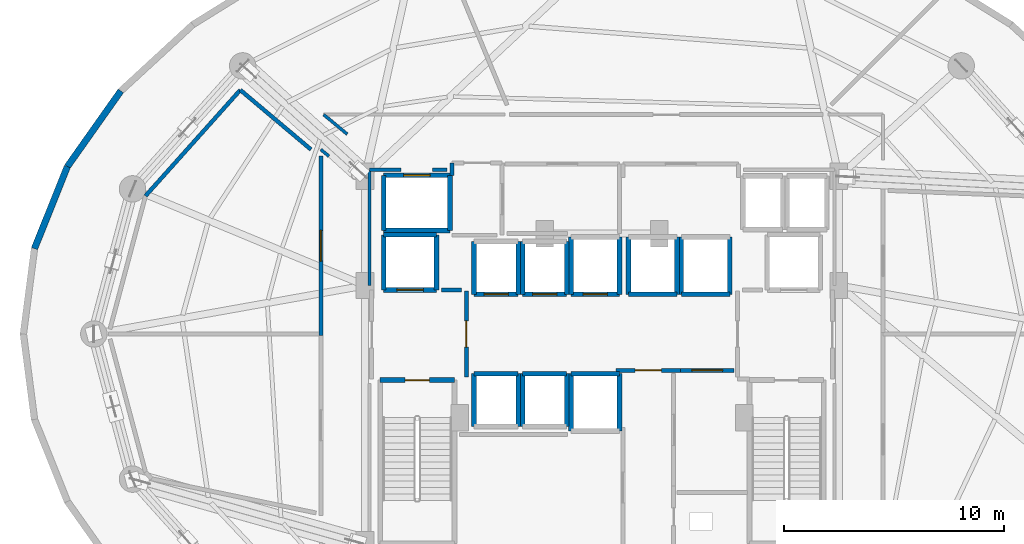
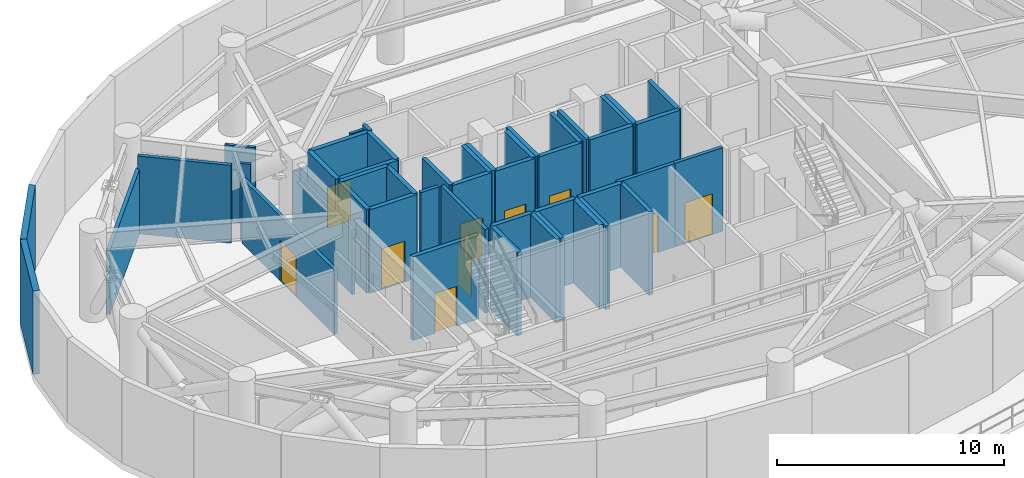
# One storey, part 7 of 10: 48 walls, 10 doors, 10 openings.
"""IFC4 building model written with IfcOpenShell, lengths in metres."""

import ifcopenshell
import ifcopenshell.guid

model = None  # the IFC model being written
_history = None  # IfcOwnerHistory: only IFC2X3 demands one
_inside = {}  # id of a spatial element -> (the spatial element, [elements in it])
_under = {}  # id of a project, library or spatial element -> (it, [spatial elements below it])
_declared = {}  # id of a project -> (the project, [libraries it declares])
_typed = {}  # id of a type object -> (the type object, [elements of that type])
_made_of = {}  # id of a material, layer set ... -> (it, [elements and type objects made of it])


def new_model(schema):
    """Start an empty IFC model of exactly this schema.

    Asked for "IFC4X3", IfcOpenShell would pick the latest addendum, in which some entities
    have other attributes; the version numbers below select the first issue.
    IFC2X3 requires an IfcOwnerHistory on every rooted entity: one is made here for all.
    """
    global model, _history
    if schema == "IFC4X3":
        model = ifcopenshell.file(schema_version=(4, 3, 0, 0))
    else:
        model = ifcopenshell.file(schema=schema)
    _inside.clear()
    _under.clear()
    _declared.clear()
    _typed.clear()
    _made_of.clear()
    _history = None
    if model.schema == "IFC2X3":
        org = make("IfcOrganization", Name="unknown")
        user = make(
            "IfcPersonAndOrganization",
            ThePerson=make("IfcPerson", FamilyName="unknown"),
            TheOrganization=org,
        )
        app = make(
            "IfcApplication",
            ApplicationDeveloper=org,
            Version="unknown",
            ApplicationFullName="unknown",
            ApplicationIdentifier="unknown",
        )
        _history = make(
            "IfcOwnerHistory",
            OwningUser=user,
            OwningApplication=app,
            ChangeAction="ADDED",
            CreationDate=0,
        )
    return model


def make(cls, **values):
    """One entity of the class cls with the attributes given. An attribute that is None is left unset."""
    return model.create_entity(
        cls, **{name: value for name, value in values.items() if value is not None}
    )


def rooted(cls, **values):
    """An entity with a GlobalId (a new one), such as an element, a storey or a relation."""
    return make(cls, GlobalId=ifcopenshell.guid.new(), OwnerHistory=_history, **values)


def si_unit(unit_type, name, prefix=None):
    """IfcSIUnit, for example si_unit("LENGTHUNIT", "METRE", prefix="MILLI")."""
    return make("IfcSIUnit", UnitType=unit_type, Prefix=prefix, Name=name)


def assignment(units):
    """IfcUnitAssignment: the units of a project."""
    return None if units is None else make("IfcUnitAssignment", Units=units)


def point(xyz):
    """IfcCartesianPoint."""
    return None if xyz is None else make("IfcCartesianPoint", Coordinates=xyz)


def direction(xyz):
    """IfcDirection."""
    return None if xyz is None else make("IfcDirection", DirectionRatios=xyz)


def frame(location, z_axis=None, x_axis=None):
    """IfcAxis2Placement3D, a coordinate frame: its origin and axes. An axis left out is left unset."""
    return make(
        "IfcAxis2Placement3D",
        Location=point(location),
        Axis=direction(z_axis),
        RefDirection=direction(x_axis),
    )


def frame_2d(location, x_axis=None):
    """IfcAxis2Placement2D, a coordinate frame in the plane: its origin and x axis."""
    return make(
        "IfcAxis2Placement2D", Location=point(location), RefDirection=direction(x_axis)
    )


def origin():
    """The frame at (0, 0, 0) with its axes left unset."""
    return frame((0.0, 0.0, 0.0))


def place(relative_to, where):
    """IfcLocalPlacement: puts the frame where relative to a parent placement (None: the world)."""
    return make(
        "IfcLocalPlacement", PlacementRelTo=relative_to, RelativePlacement=where
    )


def context(
    kind, dimensions, precision=None, world=None, true_north=None, identifier=None
):
    """IfcGeometricRepresentationContext, for example the 3D "Model" context."""
    return make(
        "IfcGeometricRepresentationContext",
        ContextIdentifier=identifier,
        ContextType=kind,
        CoordinateSpaceDimension=dimensions,
        Precision=precision,
        WorldCoordinateSystem=world,
        TrueNorth=true_north,
    )


def subcontext(parent, identifier, kind, view, scale=None):
    """IfcGeometricRepresentationSubContext, for example "Body" below "Model"."""
    return make(
        "IfcGeometricRepresentationSubContext",
        ContextIdentifier=identifier,
        ContextType=kind,
        ParentContext=parent,
        TargetScale=scale,
        TargetView=view,
    )


def project(units=None, contexts=None):
    """IfcProject with its units and contexts."""
    return rooted(
        "IfcProject",
        Name="project",
        RepresentationContexts=contexts,
        UnitsInContext=assignment(units),
    )


def spatial(cls, under=None, at=None, **own):
    """A site, building, storey or space (cls), placed at a placement, below another one or the project."""
    s = rooted(cls, ObjectPlacement=at, **own)
    if under is not None:
        _under.setdefault(under.id(), (under, []))[1].append(s)
    return s


def profile(cls, at=None, kind="AREA", **sizes):
    """A parametric profile (cls). Its sizes go by their IFC names, for example OverallWidth=200.0."""
    return make(cls, ProfileType=kind, Position=at, **sizes)


def rectangle(**sizes):
    """IfcRectangleProfileDef."""
    return profile("IfcRectangleProfileDef", **sizes)


def extrude(swept, where, along, depth):
    """IfcExtrudedAreaSolid: the profile swept, set in the frame where, extruded along a direction by depth."""
    return make(
        "IfcExtrudedAreaSolid",
        SweptArea=swept,
        Position=where,
        ExtrudedDirection=direction(along),
        Depth=depth,
    )


def shape(context_of_items, identifier, shape_type, items):
    """IfcShapeRepresentation: the items that make up one representation, for example the "Body"."""
    return make(
        "IfcShapeRepresentation",
        ContextOfItems=context_of_items,
        RepresentationIdentifier=identifier,
        RepresentationType=shape_type,
        Items=items,
    )


def material(Name=None, Category=None):
    """IfcMaterial."""
    return make("IfcMaterial", Name=Name, Category=Category)


def layer(
    of_material, thickness, ventilated=None, Name=None, Category=None, Priority=None
):
    """IfcMaterialLayer: one layer of a wall or slab, of a material (None: an air gap)."""
    return make(
        "IfcMaterialLayer",
        Material=of_material,
        LayerThickness=thickness,
        IsVentilated=ventilated,
        Name=Name,
        Category=Category,
        Priority=Priority,
    )


def layer_set(layers, Name=None):
    """IfcMaterialLayerSet."""
    return make("IfcMaterialLayerSet", MaterialLayers=layers, LayerSetName=Name)


def made_of(thing, what):
    """Note that an element or type object is made of a material, layer set ...; save() writes the relation."""
    if what is not None:
        _made_of.setdefault(what.id(), (what, []))[1].append(thing)
    return thing


def type_object(cls, material=None, **own):
    """A type object (cls), such as IfcWallType, which elements share."""
    return made_of(rooted(cls, **own), material)


def element(
    cls,
    number,
    at=None,
    inside=None,
    cuts=None,
    type_object=None,
    material=None,
    context=None,
    identifier="Body",
    shape_type=None,
    held_by="IfcProductDefinitionShape",
    body=None,
    shapes=None,
    **own,
):
    """One element of the class cls, such as IfcWall. Its Tag is "e" and its number.

    at: its placement. inside: the storey or other place that contains it. cuts: it is an
    opening in that element (IfcRelVoidsElement). A single representation is given by context,
    identifier, shape_type and body (its items); several are given by shapes. held_by: the class
    of the entity that holds the representations. save() writes the other relations.
    """
    e = rooted(cls, Tag="e%d" % number, ObjectPlacement=at, **own)
    if body is not None:
        shapes = [shape(context, identifier, shape_type, body)]
    if shapes is not None:
        e.Representation = make(held_by, Representations=shapes)
    if inside is not None:
        _inside.setdefault(inside.id(), (inside, []))[1].append(e)
    if cuts is not None:
        rooted(
            "IfcRelVoidsElement", RelatingBuildingElement=cuts, RelatedOpeningElement=e
        )
    if type_object is not None:
        _typed.setdefault(type_object.id(), (type_object, []))[1].append(e)
    return made_of(e, material)


def fill(opening, filler):
    """IfcRelFillsElement: the door or window that sits in an opening."""
    return rooted(
        "IfcRelFillsElement",
        RelatingOpeningElement=opening,
        RelatedBuildingElement=filler,
    )


def aggregate(whole, parts):
    """IfcRelAggregates: a whole, such as a stair, and the parts it consists of."""
    return rooted("IfcRelAggregates", RelatingObject=whole, RelatedObjects=parts)


def save(model, path):
    """Write the relations noted so far, then the file.

    IfcRelAggregates (storeys below a building ...), IfcRelContainedInSpatialStructure (elements
    in a storey), IfcRelDefinesByType, IfcRelAssociatesMaterial and IfcRelDeclares: one each for
    every whole, place, type object, material and project.
    """
    for whole, parts in _under.values():
        aggregate(whole, parts)
    for where, things in _inside.values():
        rooted(
            "IfcRelContainedInSpatialStructure",
            RelatedElements=things,
            RelatingStructure=where,
        )
    for kind, things in _typed.values():
        rooted("IfcRelDefinesByType", RelatedObjects=things, RelatingType=kind)
    for what, things in _made_of.values():
        rooted("IfcRelAssociatesMaterial", RelatedObjects=things, RelatingMaterial=what)
    for by, libraries in _declared.values():
        rooted("IfcRelDeclares", RelatingContext=by, RelatedDefinitions=libraries)
    model.write(path)


model = new_model("IFC4")

# Units and contexts
model_context = context("Model", 3, precision=1e-05, world=origin(), true_north=direction((0.0, 1.0)))
body_context = subcontext(model_context, "Body", "Model", "MODEL_VIEW")
ifc_project = project(units=[si_unit("LENGTHUNIT", "METRE"), si_unit("AREAUNIT", "SQUARE_METRE"), si_unit("VOLUMEUNIT", "CUBIC_METRE"), si_unit("PLANEANGLEUNIT", "RADIAN"), si_unit("MASSUNIT", "GRAM", prefix="KILO")], contexts=[model_context])

# Site, building, storey
site_placement = place(None, origin())
site = spatial("IfcSite", under=ifc_project, at=site_placement, CompositionType="ELEMENT")
building_placement = place(site_placement, origin())
building = spatial("IfcBuilding", under=site, at=building_placement, Name="Vorneva Point Tower", CompositionType="ELEMENT")
storey_placement = place(building_placement, frame((0.0, 0.0, 69.5)))
storey = spatial("IfcBuildingStorey", under=building, at=storey_placement, Name="L18", CompositionType="ELEMENT", Elevation=69.5)

# Wall, opening, door
ifc_material_1 = material(Name="Concrete B60 (C50/60)", Category="concrete")
ifc_layer_1 = layer(ifc_material_1, 0.5)
ifc_layer_set_1 = layer_set([ifc_layer_1], Name="Concrete B60 (C50/60)")
wall_type_1 = type_object("IfcWallType", Name="WL-CORE-500", PredefinedType="SHEAR", material=ifc_layer_set_1)
wall_1_placement = place(storey_placement, frame((28.10009765625, 28.0, 0.0), z_axis=(0.0, 0.0, 1.0), x_axis=(1.0, 0.0, 0.0)))
wall_1 = element("IfcWall", 1, at=wall_1_placement, inside=storey, type_object=wall_type_1, Name="L18 Lift FFL1 Shaft Wall -Y", PredefinedType="SHEAR", context=body_context, shape_type="SweptSolid", body=[
    extrude(rectangle(XDim=2.39990234375, YDim=0.219970703125, at=frame_2d((1.199951171875, 0.0))), origin(), (0.0, 0.0, 1.0), 4.5),
])
opening_1_placement = place(wall_1_placement, frame((0.60009765625, 0.0, 0.0)))
opening_1 = element("IfcOpeningElement", 2, at=opening_1_placement, cuts=wall_1, Name="Opening LD-02", PredefinedType="OPENING", context=body_context, shape_type="SweptSolid", body=[
    extrude(rectangle(XDim=1.199951171875, YDim=2.199951171875, at=frame_2d((0.60009765625, 1.10009765625))), frame((0.0, 0.125, 0.0), z_axis=(0.0, -1.0, 0.0), x_axis=(1.0, 0.0, 0.0)), (0.0, 0.0, 1.0), 0.249755859375),
])
ifc_material_2 = material(Name="Brushed stainless steel S304", Category="steel")
door_type_1 = type_object("IfcDoorType", Name="LD-FIRE-1200", OperationType="SLIDING_TO_LEFT", PredefinedType="DOOR", material=ifc_material_2)
door_1_placement = place(opening_1_placement, origin())
door_1 = element("IfcDoor", 3, at=door_1_placement, inside=storey, type_object=door_type_1, Name="L18 Lift FFL1 Sliding Landing Door", OperationType="SLIDING_TO_LEFT", OverallHeight=2.199951171875, OverallWidth=1.199951171875, PredefinedType="DOOR", context=body_context, shape_type="SweptSolid", body=[
    extrude(rectangle(XDim=1.199951171875, YDim=2.199951171875, at=frame_2d((0.60009765625, 1.10009765625))), frame((0.0, 0.02490234375, 0.0), z_axis=(0.0, -1.0, 0.0), x_axis=(1.0, 0.0, 0.0)), (0.0, 0.0, 1.0), 0.050048828125),
])
fill(opening_1, door_1)

# Walls
wall_2_placement = place(storey_placement, frame((30.5, 28.0, 0.0), z_axis=(0.0, 0.0, 1.0), x_axis=(0.0, 1.0, 0.0)))
element("IfcWall", 4, at=wall_2_placement, inside=storey, type_object=wall_type_1, Name="L18 Lift FFL1 Shaft Wall +X", PredefinedType="SHEAR", context=body_context, shape_type="SweptSolid", body=[
    extrude(rectangle(XDim=2.5, YDim=0.219970703125, at=frame_2d((1.25, 0.0))), origin(), (0.0, 0.0, 1.0), 4.5),
])
wall_3_placement = place(storey_placement, frame((30.5, 30.5, 0.0), z_axis=(0.0, 0.0, 1.0), x_axis=(-1.0, 0.0, 0.0)))
element("IfcWall", 5, at=wall_3_placement, inside=storey, type_object=wall_type_1, Name="L18 Lift FFL1 Shaft Wall +Y", PredefinedType="SHEAR", context=body_context, shape_type="SweptSolid", body=[
    extrude(rectangle(XDim=2.39990234375, YDim=0.219970703125, at=frame_2d((1.199951171875, 0.0))), origin(), (0.0, 0.0, 1.0), 4.5),
])
wall_4_placement = place(storey_placement, frame((28.10009765625, 30.5, 0.0), z_axis=(0.0, 0.0, 1.0), x_axis=(0.0, -1.0, 0.0)))
element("IfcWall", 6, at=wall_4_placement, inside=storey, type_object=wall_type_1, Name="L18 Lift FFL1 Shaft Wall -X", PredefinedType="SHEAR", context=body_context, shape_type="SweptSolid", body=[
    extrude(rectangle(XDim=2.5, YDim=0.219970703125, at=frame_2d((1.25, 0.0))), origin(), (0.0, 0.0, 1.0), 4.5),
])
ifc_material_3 = material(Name="Precast concrete B50 (C40/50)", Category="concrete")
ifc_layer_2 = layer(ifc_material_3, 0.300048828125)
ifc_layer_set_2 = layer_set([ifc_layer_2], Name="Precast concrete B50 (C40/50)")
wall_type_2 = type_object("IfcWallType", Name="WL-EXT-300", PredefinedType="STANDARD", material=ifc_layer_set_2)
wall_5_placement = place(storey_placement, frame((16.173828125, 37.028076171875, 0.0), z_axis=(0.0, 0.0, 1.0), x_axis=(-0.57716435238, -0.81662801222, 0.0)))
element("IfcWall", 7, at=wall_5_placement, inside=storey, type_object=wall_type_2, Name="L18 Pale-Metal Facade Spandrel Wall 07.2", PredefinedType="STANDARD", context=body_context, shape_type="SweptSolid", body=[
    extrude(rectangle(XDim=4.202392578125, YDim=0.300048828125, at=frame_2d((2.10107421875, 0.0))), origin(), (0.0, 0.0, 1.0), 4.5),
])
wall_6_placement = place(storey_placement, frame((13.748291015625, 33.59619140625, 0.0), z_axis=(0.0, 0.0, 1.0), x_axis=(-0.372345205928, -0.92809430966, 0.0)))
element("IfcWall", 8, at=wall_6_placement, inside=storey, type_object=wall_type_2, Name="L18 Pale-Metal Facade Spandrel Wall 08.1", PredefinedType="STANDARD", context=body_context, shape_type="SweptSolid", body=[
    extrude(rectangle(XDim=4.01220703125, YDim=0.300048828125, at=frame_2d((2.006103515625, 0.0))), origin(), (0.0, 0.0, 1.0), 4.5),
])
ifc_material_4 = material(Name="Fire-rated acoustic gypsum stud partition", Category="gypsum")
ifc_layer_3 = layer(ifc_material_4, 0.139892578125)
ifc_layer_set_3 = layer_set([ifc_layer_3], Name="Fire-rated acoustic gypsum stud partition")
wall_type_3 = type_object("IfcWallType", Name="WL-PART-140", PredefinedType="PARTITIONING", material=ifc_layer_set_3)
wall_7_placement = place(storey_placement, frame((25.37890625, 35.949951171875, 0.0), z_axis=(0.0, 0.0, 1.0), x_axis=(0.769447461533, -0.638710109471, 0.0)))
element("IfcWall", 9, at=wall_7_placement, inside=storey, type_object=wall_type_3, Name="L18 Interior Closure Partition 049", PredefinedType="PARTITIONING", context=body_context, shape_type="SweptSolid", body=[
    extrude(rectangle(XDim=1.3857421875, YDim=0.139892578125, at=frame_2d((0.69287109375, 0.0))), origin(), (0.0, 0.0, 1.0), 4.134033203125),
])
wall_8_placement = place(storey_placement, frame((25.614013671875, 34.06494140625, 0.0), z_axis=(0.0, 0.0, 1.0), x_axis=(-0.769615661333, 0.638507426606, 0.0)))
element("IfcWall", 10, at=wall_8_placement, inside=storey, type_object=wall_type_3, Name="L18 Interior Closure Partition 050", PredefinedType="PARTITIONING", context=body_context, shape_type="SweptSolid", body=[
    extrude(rectangle(XDim=0.472900390625, YDim=0.139892578125, at=frame_2d((0.236328125, 0.0))), origin(), (0.0, 0.0, 1.0), 4.134033203125),
])
wall_9_placement = place(storey_placement, frame((27.449951171875, 28.196044921875, 0.0), z_axis=(0.0, 0.0, 1.0), x_axis=(0.0, 1.0, 0.0)))
element("IfcWall", 11, at=wall_9_placement, inside=storey, type_object=wall_type_3, Name="L18 Interior Closure Partition 055", PredefinedType="PARTITIONING", context=body_context, shape_type="SweptSolid", body=[
    extrude(rectangle(XDim=5.25390625, YDim=0.139892578125, at=frame_2d((2.626953125, 0.0))), origin(), (0.0, 0.0, 1.0), 3.48193359375),
])
wall_10_placement = place(storey_placement, frame((27.449951171875, 33.449951171875, 0.0), z_axis=(0.0, 0.0, 1.0), x_axis=(1.0, 0.0, 0.0)))
element("IfcWall", 12, at=wall_10_placement, inside=storey, type_object=wall_type_3, Name="L18 Interior Closure Partition 056", PredefinedType="PARTITIONING", context=body_context, shape_type="SweptSolid", body=[
    extrude(rectangle(XDim=1.444091796875, YDim=0.139892578125, at=frame_2d((0.72216796875, 0.0))), origin(), (0.0, 0.0, 1.0), 3.48193359375),
])
wall_11_placement = place(storey_placement, frame((30.305908203125, 33.449951171875, 0.0), z_axis=(0.0, 0.0, 1.0), x_axis=(1.0, 0.0, 0.0)))
element("IfcWall", 13, at=wall_11_placement, inside=storey, type_object=wall_type_3, Name="L18 Interior Closure Partition 057", PredefinedType="PARTITIONING", context=body_context, shape_type="SweptSolid", body=[
    extrude(rectangle(XDim=0.674072265625, YDim=0.139892578125, at=frame_2d((0.3369140625, 0.0))), origin(), (0.0, 0.0, 1.0), 4.5),
])

# Wall, opening, door
ifc_material_5 = material(Name="Autoclaved aerated concrete blockwork", Category="masonry")
ifc_layer_4 = layer(ifc_material_5, 0.179931640625)
ifc_layer_set_4 = layer_set([ifc_layer_4], Name="Autoclaved aerated concrete blockwork")
wall_type_4 = type_object("IfcWallType", Name="WL-PART-180", PredefinedType="PARTITIONING", material=ifc_layer_set_4)
wall_12_placement = place(storey_placement, frame((31.85009765625, 24.044921875, 0.0), z_axis=(0.0, 0.0, 1.0), x_axis=(0.0, 1.0, 0.0)))
wall_12 = element("IfcWall", 14, at=wall_12_placement, inside=storey, type_object=wall_type_4, Name="L18 Interior Partition 001", PredefinedType="PARTITIONING", context=body_context, shape_type="SweptSolid", body=[
    extrude(rectangle(XDim=3.91015625, YDim=0.179931640625, at=frame_2d((1.955078125, 0.0))), origin(), (0.0, 0.0, 1.0), 4.5),
])
opening_2_placement = place(wall_12_placement, frame((1.35498046875, 0.0, 0.0)))
opening_2 = element("IfcOpeningElement", 15, at=opening_2_placement, cuts=wall_12, Name="Opening FD-02", PredefinedType="OPENING", context=body_context, shape_type="SweptSolid", body=[
    extrude(rectangle(XDim=1.199951171875, YDim=2.14990234375, at=frame_2d((0.60009765625, 1.074951171875))), frame((0.0, 0.10498046875, 0.0), z_axis=(0.0, -1.0, 0.0), x_axis=(1.0, 0.0, 0.0)), (0.0, 0.0, 1.0), 0.209716796875),
])
ifc_material_6 = material(Name="Fire-rated powder-coated steel", Category="steel")
door_type_2 = type_object("IfcDoorType", Name="DR-FFL-1200", OperationType="NOTDEFINED", PredefinedType="DOOR", material=ifc_material_6)
door_2_placement = place(opening_2_placement, origin())
door_2 = element("IfcDoor", 16, at=door_2_placement, inside=storey, type_object=door_type_2, Name="L18 Door West Firefighting Lobby / Central Lift Lobby", OperationType="SINGLE_SWING_RIGHT", OverallHeight=2.14990234375, OverallWidth=1.199951171875, PredefinedType="DOOR", context=body_context, shape_type="SweptSolid", body=[
    extrude(rectangle(XDim=1.199951171875, YDim=2.14990234375, at=frame_2d((0.60009765625, 1.074951171875))), frame((0.0, 0.02490234375, 0.0), z_axis=(0.0, -1.0, 0.0), x_axis=(1.0, 0.0, 0.0)), (0.0, 0.0, 1.0), 0.050048828125),
])
fill(opening_2, door_2)

# Wall
wall_13_placement = place(storey_placement, frame((31.199951171875, 33.760009765625, 0.0), z_axis=(0.0, 0.0, 1.0), x_axis=(0.0, -1.0, 0.0)))
element("IfcWall", 17, at=wall_13_placement, inside=storey, type_object=wall_type_4, Name="L18 Interior Partition 008", PredefinedType="PARTITIONING", context=body_context, shape_type="SweptSolid", body=[
    extrude(rectangle(XDim=0.56005859375, YDim=0.179931640625, at=frame_2d((0.280029296875, 0.0))), origin(), (0.0, 0.0, 1.0), 4.5),
])

# Wall, opening, door
wall_14_placement = place(storey_placement, frame((38.64501953125, 24.35009765625, 0.0), z_axis=(0.0, 0.0, 1.0), x_axis=(1.0, 0.0, 0.0)))
wall_14 = element("IfcWall", 18, at=wall_14_placement, inside=storey, type_object=wall_type_4, Name="L18 Interior Partition 009", PredefinedType="PARTITIONING", context=body_context, shape_type="SweptSolid", body=[
    extrude(rectangle(XDim=2.909912109375, YDim=0.179931640625, at=frame_2d((1.455078125, 0.0))), origin(), (0.0, 0.0, 1.0), 4.5),
])
opening_3_placement = place(wall_14_placement, frame((0.85498046875, 0.0, 0.0)))
opening_3 = element("IfcOpeningElement", 19, at=opening_3_placement, cuts=wall_14, Name="Opening FD-02", PredefinedType="OPENING", context=body_context, shape_type="SweptSolid", body=[
    extrude(rectangle(XDim=1.199951171875, YDim=2.14990234375, at=frame_2d((0.60009765625, 1.074951171875))), frame((0.0, 0.10498046875, 0.0), z_axis=(0.0, -1.0, 0.0), x_axis=(1.0, 0.0, 0.0)), (0.0, 0.0, 1.0), 0.209716796875),
])
door_3_placement = place(opening_3_placement, origin())
door_3 = element("IfcDoor", 20, at=door_3_placement, inside=storey, type_object=door_type_2, Name="L18 Door Central Lift Lobby / Core Service Lobby", OperationType="SINGLE_SWING_LEFT", OverallHeight=2.14990234375, OverallWidth=1.199951171875, PredefinedType="DOOR", context=body_context, shape_type="SweptSolid", body=[
    extrude(rectangle(XDim=1.199951171875, YDim=2.14990234375, at=frame_2d((0.60009765625, 1.074951171875))), frame((0.0, 0.02490234375, 0.0), z_axis=(0.0, -1.0, 0.0), x_axis=(1.0, 0.0, 0.0)), (0.0, 0.0, 1.0), 0.050048828125),
])
fill(opening_3, door_3)

wall_15_placement = place(storey_placement, frame((41.554931640625, 24.35009765625, 0.0), z_axis=(0.0, 0.0, 1.0), x_axis=(1.0, 0.0, 0.0)))
wall_15 = element("IfcWall", 21, at=wall_15_placement, inside=storey, type_object=wall_type_4, Name="L18 Interior Partition 010", PredefinedType="PARTITIONING", context=body_context, shape_type="SweptSolid", body=[
    extrude(rectangle(XDim=2.445068359375, YDim=0.179931640625, at=frame_2d((1.22265625, 0.0))), origin(), (0.0, 0.0, 1.0), 4.5),
])
opening_4_placement = place(wall_15_placement, frame((0.5224609375, 0.0, 0.0)))
opening_4 = element("IfcOpeningElement", 22, at=opening_4_placement, cuts=wall_15, Name="Opening FD-03", PredefinedType="OPENING", context=body_context, shape_type="SweptSolid", body=[
    extrude(rectangle(XDim=1.39990234375, YDim=2.199951171875, at=frame_2d((0.699951171875, 1.10009765625))), frame((0.0, 0.10498046875, 0.0), z_axis=(0.0, -1.0, 0.0), x_axis=(1.0, 0.0, 0.0)), (0.0, 0.0, 1.0), 0.209716796875),
])
door_type_3 = type_object("IfcDoorType", Name="DR-PLT-1400", OperationType="DOUBLE_SWING_LEFT", PredefinedType="DOOR", material=ifc_material_6)
door_4_placement = place(opening_4_placement, origin())
door_4 = element("IfcDoor", 23, at=door_4_placement, inside=storey, type_object=door_type_3, Name="L18 Door Central Lift Lobby / Core BMS Control Plant L18", OperationType="DOUBLE_SWING_LEFT", OverallHeight=2.199951171875, OverallWidth=1.39990234375, PredefinedType="DOOR", context=body_context, shape_type="SweptSolid", body=[
    extrude(rectangle(XDim=1.39990234375, YDim=2.199951171875, at=frame_2d((0.699951171875, 1.10009765625))), frame((0.0, 0.02490234375, 0.0), z_axis=(0.0, -1.0, 0.0), x_axis=(1.0, 0.0, 0.0)), (0.0, 0.0, 1.0), 0.050048828125),
])
fill(opening_4, door_4)

wall_16_placement = place(storey_placement, frame((25.25, 34.069091796875, 0.0), z_axis=(0.0, 0.0, 1.0), x_axis=(0.0, -1.0, 0.0)))
wall_16 = element("IfcWall", 24, at=wall_16_placement, inside=storey, type_object=wall_type_4, Name="L18 Interior Partition 024", PredefinedType="PARTITIONING", context=body_context, shape_type="SweptSolid", body=[
    extrude(rectangle(XDim=8.129150390625, YDim=0.179931640625, at=frame_2d((4.064453125, 0.0))), origin(), (0.0, 0.0, 1.0), 3.48193359375),
])
opening_5_placement = place(wall_16_placement, frame((3.364501953125, 0.0, 0.0)))
opening_5 = element("IfcOpeningElement", 25, at=opening_5_placement, cuts=wall_16, Name="Opening FD-03", PredefinedType="OPENING", context=body_context, shape_type="SweptSolid", body=[
    extrude(rectangle(XDim=1.39990234375, YDim=2.199951171875, at=frame_2d((0.699951171875, 1.10009765625))), frame((0.0, 0.10498046875, 0.0), z_axis=(0.0, -1.0, 0.0), x_axis=(1.0, 0.0, 0.0)), (0.0, 0.0, 1.0), 0.209716796875),
])
door_5_placement = place(opening_5_placement, origin())
door_5 = element("IfcDoor", 26, at=door_5_placement, inside=storey, type_object=door_type_3, Name="L18 Door L18 Refuge and Lift Lobby / Chiller Plant Room L18", OperationType="DOUBLE_SWING_LEFT", OverallHeight=2.199951171875, OverallWidth=1.39990234375, PredefinedType="DOOR", context=body_context, shape_type="SweptSolid", body=[
    extrude(rectangle(XDim=1.39990234375, YDim=2.199951171875, at=frame_2d((0.699951171875, 1.10009765625))), frame((0.0, 0.02490234375, 0.0), z_axis=(0.0, -1.0, 0.0), x_axis=(1.0, 0.0, 0.0)), (0.0, 0.0, 1.0), 0.050048828125),
])
fill(opening_5, door_5)

# Walls
wall_17_placement = place(storey_placement, frame((31.635009765625, 28.0, 0.0), z_axis=(0.0, 0.0, 1.0), x_axis=(-1.0, 0.0, 0.0)))
element("IfcWall", 27, at=wall_17_placement, inside=storey, type_object=wall_type_4, Name="L18 Interior Closure Partition 034", PredefinedType="PARTITIONING", context=body_context, shape_type="SweptSolid", body=[
    extrude(rectangle(XDim=0.9150390625, YDim=0.179931640625, at=frame_2d((0.45751953125, 0.0))), origin(), (0.0, 0.0, 1.0), 4.5),
])
wall_18_placement = place(storey_placement, frame((21.593994140625, 37.068115234375, 0.0), z_axis=(0.0, 0.0, 1.0), x_axis=(-0.667012857152, -0.745046205543, 0.0)))
element("IfcWall", 28, at=wall_18_placement, inside=storey, type_object=wall_type_4, Name="L18 Interior Closure Partition 060", PredefinedType="PARTITIONING", context=body_context, shape_type="SweptSolid", body=[
    extrude(rectangle(XDim=6.4482421875, YDim=0.179931640625, at=frame_2d((3.22412109375, 0.0))), origin(), (0.0, 0.0, 1.0), 3.48193359375),
])
wall_19_placement = place(storey_placement, frame((24.800048828125, 34.3701171875, 0.0), z_axis=(0.0, 0.0, 1.0), x_axis=(-0.765127214719, 0.643879138734, 0.0)))
element("IfcWall", 29, at=wall_19_placement, inside=storey, type_object=wall_type_4, Name="L18 Interior Closure Partition 062", PredefinedType="PARTITIONING", context=body_context, shape_type="SweptSolid", body=[
    extrude(rectangle(XDim=4.190185546875, YDim=0.179931640625, at=frame_2d((2.09521484375, 0.0))), origin(), (0.0, 0.0, 1.0), 4.18896484375),
])

# Wall, opening, door
ifc_material_7 = material(Name="Concrete B50 (C40/50)", Category="concrete")
ifc_layer_5 = layer(ifc_material_7, 0.219970703125)
ifc_layer_set_5 = layer_set([ifc_layer_5], Name="Concrete B50 (C40/50)")
wall_type_5 = type_object("IfcWallType", Name="WL-SHFT-220", PredefinedType="SOLIDWALL", material=ifc_layer_set_5)
wall_20_placement = place(storey_placement, frame((27.93994140625, 23.909912109375, 0.0), z_axis=(0.0, 0.0, 1.0), x_axis=(1.0, 0.0, 0.0)))
wall_20 = element("IfcWall", 30, at=wall_20_placement, inside=storey, type_object=wall_type_5, Name="L18 Exit Stair ST1 Shaft Wall near", PredefinedType="SOLIDWALL", context=body_context, shape_type="SweptSolid", body=[
    extrude(rectangle(XDim=3.3701171875, YDim=0.219970703125, at=frame_2d((1.68505859375, 0.0))), origin(), (0.0, 0.0, 1.0), 4.5),
])
opening_6_placement = place(wall_20_placement, frame((1.135009765625, 0.0, 0.0)))
opening_6 = element("IfcOpeningElement", 31, at=opening_6_placement, cuts=wall_20, Name="Opening FD-01", PredefinedType="OPENING", context=body_context, shape_type="SweptSolid", body=[
    extrude(rectangle(XDim=1.10009765625, YDim=2.14990234375, at=frame_2d((0.550048828125, 1.074951171875))), frame((0.0, 0.125, 0.0), z_axis=(0.0, -1.0, 0.0), x_axis=(1.0, 0.0, 0.0)), (0.0, 0.0, 1.0), 0.249755859375),
])
door_type_4 = type_object("IfcDoorType", Name="DR-STAIR-1100", OperationType="NOTDEFINED", PredefinedType="DOOR", material=ifc_material_6)
door_6_placement = place(opening_6_placement, origin())
door_6 = element("IfcDoor", 32, at=door_6_placement, inside=storey, type_object=door_type_4, Name="L18 Exit Stair ST1 Fire Door", OperationType="SINGLE_SWING_RIGHT", OverallHeight=2.14990234375, OverallWidth=1.10009765625, PredefinedType="DOOR", context=body_context, shape_type="SweptSolid", body=[
    extrude(rectangle(XDim=1.10009765625, YDim=2.14990234375, at=frame_2d((0.550048828125, 1.074951171875))), frame((0.0, 0.02490234375, 0.0), z_axis=(0.0, -1.0, 0.0), x_axis=(1.0, 0.0, 0.0)), (0.0, 0.0, 1.0), 0.050048828125),
])
fill(opening_6, door_6)

wall_21_placement = place(storey_placement, frame((32.199951171875, 27.800048828125, 0.0), z_axis=(0.0, 0.0, 1.0), x_axis=(1.0, 0.0, 0.0)))
wall_21 = element("IfcWall", 33, at=wall_21_placement, inside=storey, type_object=wall_type_5, Name="L18 Lift PL1 Shaft Wall -Y", PredefinedType="SOLIDWALL", context=body_context, shape_type="SweptSolid", body=[
    extrude(rectangle(XDim=2.0, YDim=0.219970703125, at=frame_2d((1.0, 0.0))), origin(), (0.0, 0.0, 1.0), 4.5),
])
opening_7_placement = place(wall_21_placement, frame((0.449951171875, 0.0, 0.0)))
opening_7 = element("IfcOpeningElement", 34, at=opening_7_placement, cuts=wall_21, Name="Opening LD-01", PredefinedType="OPENING", context=body_context, shape_type="SweptSolid", body=[
    extrude(rectangle(XDim=1.10009765625, YDim=2.199951171875, at=frame_2d((0.550048828125, 1.10009765625))), frame((0.0, 0.125, 0.0), z_axis=(0.0, -1.0, 0.0), x_axis=(1.0, 0.0, 0.0)), (0.0, 0.0, 1.0), 0.249755859375),
])
door_type_5 = type_object("IfcDoorType", Name="LD-PASS-1100", OperationType="SLIDING_TO_LEFT", PredefinedType="DOOR", material=ifc_material_2)
door_7_placement = place(opening_7_placement, origin())
door_7 = element("IfcDoor", 35, at=door_7_placement, inside=storey, type_object=door_type_5, Name="L18 Lift PL1 Sliding Landing Door", OperationType="SLIDING_TO_LEFT", OverallHeight=2.199951171875, OverallWidth=1.10009765625, PredefinedType="DOOR", context=body_context, shape_type="SweptSolid", body=[
    extrude(rectangle(XDim=1.10009765625, YDim=2.199951171875, at=frame_2d((0.550048828125, 1.10009765625))), frame((0.0, 0.02490234375, 0.0), z_axis=(0.0, -1.0, 0.0), x_axis=(1.0, 0.0, 0.0)), (0.0, 0.0, 1.0), 0.050048828125),
])
fill(opening_7, door_7)

# Walls
for number, where, z_axis, x_axis, name in (
    (36, (34.199951171875, 27.800048828125, 0.0), (0.0, 0.0, 1.0), (0.0, 1.0, 0.0), "L18 Lift PL1 Shaft Wall +X"),
    (37, (32.199951171875, 30.199951171875, 0.0), (0.0, 0.0, 1.0), (0.0, -1.0, 0.0), "L18 Lift PL1 Shaft Wall -X"),
):
    element("IfcWall", number, at=place(storey_placement, frame(where, z_axis=z_axis, x_axis=x_axis)), inside=storey, type_object=wall_type_5, Name=name, PredefinedType="SOLIDWALL", context=body_context, shape_type="SweptSolid", body=[
        extrude(rectangle(XDim=2.39990234375, YDim=0.219970703125, at=frame_2d((1.199951171875, 0.0))), origin(), (0.0, 0.0, 1.0), 4.5),
    ])

# Wall, opening, door
wall_22_placement = place(storey_placement, frame((34.39990234375, 27.800048828125, 0.0), z_axis=(0.0, 0.0, 1.0), x_axis=(1.0, 0.0, 0.0)))
wall_22 = element("IfcWall", 38, at=wall_22_placement, inside=storey, type_object=wall_type_5, Name="L18 Lift PL2 Shaft Wall -Y", PredefinedType="SOLIDWALL", context=body_context, shape_type="SweptSolid", body=[
    extrude(rectangle(XDim=2.0, YDim=0.219970703125, at=frame_2d((1.0, 0.0))), origin(), (0.0, 0.0, 1.0), 4.5),
])
opening_8_placement = place(wall_22_placement, frame((0.449951171875, 0.0, 0.0)))
opening_8 = element("IfcOpeningElement", 39, at=opening_8_placement, cuts=wall_22, Name="Opening LD-01", PredefinedType="OPENING", context=body_context, shape_type="SweptSolid", body=[
    extrude(rectangle(XDim=1.10009765625, YDim=2.199951171875, at=frame_2d((0.550048828125, 1.10009765625))), frame((0.0, 0.125, 0.0), z_axis=(0.0, -1.0, 0.0), x_axis=(1.0, 0.0, 0.0)), (0.0, 0.0, 1.0), 0.249755859375),
])
door_8_placement = place(opening_8_placement, origin())
door_8 = element("IfcDoor", 40, at=door_8_placement, inside=storey, type_object=door_type_5, Name="L18 Lift PL2 Sliding Landing Door", OperationType="SLIDING_TO_LEFT", OverallHeight=2.199951171875, OverallWidth=1.10009765625, PredefinedType="DOOR", context=body_context, shape_type="SweptSolid", body=[
    extrude(rectangle(XDim=1.10009765625, YDim=2.199951171875, at=frame_2d((0.550048828125, 1.10009765625))), frame((0.0, 0.02490234375, 0.0), z_axis=(0.0, -1.0, 0.0), x_axis=(1.0, 0.0, 0.0)), (0.0, 0.0, 1.0), 0.050048828125),
])
fill(opening_8, door_8)

# Walls
for number, where, z_axis, x_axis, name in (
    (41, (36.39990234375, 27.800048828125, 0.0), (0.0, 0.0, 1.0), (0.0, 1.0, 0.0), "L18 Lift PL2 Shaft Wall +X"),
    (42, (34.39990234375, 30.199951171875, 0.0), (0.0, 0.0, 1.0), (0.0, -1.0, 0.0), "L18 Lift PL2 Shaft Wall -X"),
):
    element("IfcWall", number, at=place(storey_placement, frame(where, z_axis=z_axis, x_axis=x_axis)), inside=storey, type_object=wall_type_5, Name=name, PredefinedType="SOLIDWALL", context=body_context, shape_type="SweptSolid", body=[
        extrude(rectangle(XDim=2.39990234375, YDim=0.219970703125, at=frame_2d((1.199951171875, 0.0))), origin(), (0.0, 0.0, 1.0), 4.5),
    ])

# Wall, opening, door
wall_23_placement = place(storey_placement, frame((36.60009765625, 27.800048828125, 0.0), z_axis=(0.0, 0.0, 1.0), x_axis=(1.0, 0.0, 0.0)))
wall_23 = element("IfcWall", 43, at=wall_23_placement, inside=storey, type_object=wall_type_5, Name="L18 Lift PL3 Shaft Wall -Y", PredefinedType="SOLIDWALL", context=body_context, shape_type="SweptSolid", body=[
    extrude(rectangle(XDim=2.199951171875, YDim=0.219970703125, at=frame_2d((1.10009765625, 0.0))), origin(), (0.0, 0.0, 1.0), 4.5),
])
opening_9_placement = place(wall_23_placement, frame((0.550048828125, 0.0, 0.0)))
opening_9 = element("IfcOpeningElement", 44, at=opening_9_placement, cuts=wall_23, Name="Opening LD-01", PredefinedType="OPENING", context=body_context, shape_type="SweptSolid", body=[
    extrude(rectangle(XDim=1.10009765625, YDim=2.199951171875, at=frame_2d((0.550048828125, 1.10009765625))), frame((0.0, 0.125, 0.0), z_axis=(0.0, -1.0, 0.0), x_axis=(1.0, 0.0, 0.0)), (0.0, 0.0, 1.0), 0.249755859375),
])
door_9_placement = place(opening_9_placement, origin())
door_9 = element("IfcDoor", 45, at=door_9_placement, inside=storey, type_object=door_type_5, Name="L18 Lift PL3 Sliding Landing Door", OperationType="SLIDING_TO_LEFT", OverallHeight=2.199951171875, OverallWidth=1.10009765625, PredefinedType="DOOR", context=body_context, shape_type="SweptSolid", body=[
    extrude(rectangle(XDim=1.10009765625, YDim=2.199951171875, at=frame_2d((0.550048828125, 1.10009765625))), frame((0.0, 0.02490234375, 0.0), z_axis=(0.0, -1.0, 0.0), x_axis=(1.0, 0.0, 0.0)), (0.0, 0.0, 1.0), 0.050048828125),
])
fill(opening_9, door_9)

# Walls
for number, where, z_axis, x_axis, name in (
    (46, (38.800048828125, 27.800048828125, 0.0), (0.0, 0.0, 1.0), (0.0, 1.0, 0.0), "L18 Lift PL3 Shaft Wall +X"),
    (47, (36.60009765625, 30.39990234375, 0.0), (0.0, 0.0, 1.0), (0.0, -1.0, 0.0), "L18 Lift PL3 Shaft Wall -X"),
):
    element("IfcWall", number, at=place(storey_placement, frame(where, z_axis=z_axis, x_axis=x_axis)), inside=storey, type_object=wall_type_5, Name=name, PredefinedType="SOLIDWALL", context=body_context, shape_type="SweptSolid", body=[
        extrude(rectangle(XDim=2.599853515625, YDim=0.219970703125, at=frame_2d((1.2998046875, 0.0))), origin(), (0.0, 0.0, 1.0), 4.5),
    ])
wall_24_placement = place(storey_placement, frame((34.199951171875, 21.800048828125, 0.0), z_axis=(0.0, 0.0, 1.0), x_axis=(0.0, 1.0, 0.0)))
element("IfcWall", 48, at=wall_24_placement, inside=storey, type_object=wall_type_5, Name="L18 Lift PL4 Shaft Wall +X", PredefinedType="SOLIDWALL", context=body_context, shape_type="SweptSolid", body=[
    extrude(rectangle(XDim=2.39990234375, YDim=0.219970703125, at=frame_2d((1.199951171875, 0.0))), origin(), (0.0, 0.0, 1.0), 4.5),
])
wall_25_placement = place(storey_placement, frame((34.199951171875, 24.199951171875, 0.0), z_axis=(0.0, 0.0, 1.0), x_axis=(-1.0, 0.0, 0.0)))
element("IfcWall", 49, at=wall_25_placement, inside=storey, type_object=wall_type_5, Name="L18 Lift PL4 Shaft Wall +Y", PredefinedType="SOLIDWALL", context=body_context, shape_type="SweptSolid", body=[
    extrude(rectangle(XDim=2.0, YDim=0.219970703125, at=frame_2d((1.0, 0.0))), origin(), (0.0, 0.0, 1.0), 4.5),
])
for number, where, z_axis, x_axis, name in (
    (50, (32.199951171875, 24.199951171875, 0.0), (0.0, 0.0, 1.0), (0.0, -1.0, 0.0), "L18 Lift PL4 Shaft Wall -X"),
    (51, (36.39990234375, 21.800048828125, 0.0), (0.0, 0.0, 1.0), (0.0, 1.0, 0.0), "L18 Lift PL5 Shaft Wall +X"),
):
    element("IfcWall", number, at=place(storey_placement, frame(where, z_axis=z_axis, x_axis=x_axis)), inside=storey, type_object=wall_type_5, Name=name, PredefinedType="SOLIDWALL", context=body_context, shape_type="SweptSolid", body=[
        extrude(rectangle(XDim=2.39990234375, YDim=0.219970703125, at=frame_2d((1.199951171875, 0.0))), origin(), (0.0, 0.0, 1.0), 4.5),
    ])
wall_26_placement = place(storey_placement, frame((36.39990234375, 24.199951171875, 0.0), z_axis=(0.0, 0.0, 1.0), x_axis=(-1.0, 0.0, 0.0)))
element("IfcWall", 52, at=wall_26_placement, inside=storey, type_object=wall_type_5, Name="L18 Lift PL5 Shaft Wall +Y", PredefinedType="SOLIDWALL", context=body_context, shape_type="SweptSolid", body=[
    extrude(rectangle(XDim=2.0, YDim=0.219970703125, at=frame_2d((1.0, 0.0))), origin(), (0.0, 0.0, 1.0), 4.5),
])
wall_27_placement = place(storey_placement, frame((34.39990234375, 24.199951171875, 0.0), z_axis=(0.0, 0.0, 1.0), x_axis=(0.0, -1.0, 0.0)))
element("IfcWall", 53, at=wall_27_placement, inside=storey, type_object=wall_type_5, Name="L18 Lift PL5 Shaft Wall -X", PredefinedType="SOLIDWALL", context=body_context, shape_type="SweptSolid", body=[
    extrude(rectangle(XDim=2.39990234375, YDim=0.219970703125, at=frame_2d((1.199951171875, 0.0))), origin(), (0.0, 0.0, 1.0), 4.5),
])
wall_28_placement = place(storey_placement, frame((38.800048828125, 21.60009765625, 0.0), z_axis=(0.0, 0.0, 1.0), x_axis=(0.0, 1.0, 0.0)))
element("IfcWall", 54, at=wall_28_placement, inside=storey, type_object=wall_type_5, Name="L18 Lift PL6 Shaft Wall +X", PredefinedType="SOLIDWALL", context=body_context, shape_type="SweptSolid", body=[
    extrude(rectangle(XDim=2.599853515625, YDim=0.219970703125, at=frame_2d((1.2998046875, 0.0))), origin(), (0.0, 0.0, 1.0), 4.5),
])
wall_29_placement = place(storey_placement, frame((38.800048828125, 24.199951171875, 0.0), z_axis=(0.0, 0.0, 1.0), x_axis=(-1.0, 0.0, 0.0)))
element("IfcWall", 55, at=wall_29_placement, inside=storey, type_object=wall_type_5, Name="L18 Lift PL6 Shaft Wall +Y", PredefinedType="SOLIDWALL", context=body_context, shape_type="SweptSolid", body=[
    extrude(rectangle(XDim=2.199951171875, YDim=0.219970703125, at=frame_2d((1.10009765625, 0.0))), origin(), (0.0, 0.0, 1.0), 4.5),
])
wall_30_placement = place(storey_placement, frame((36.60009765625, 24.199951171875, 0.0), z_axis=(0.0, 0.0, 1.0), x_axis=(0.0, -1.0, 0.0)))
element("IfcWall", 56, at=wall_30_placement, inside=storey, type_object=wall_type_5, Name="L18 Lift PL6 Shaft Wall -X", PredefinedType="SOLIDWALL", context=body_context, shape_type="SweptSolid", body=[
    extrude(rectangle(XDim=2.599853515625, YDim=0.219970703125, at=frame_2d((1.2998046875, 0.0))), origin(), (0.0, 0.0, 1.0), 4.5),
])
wall_31_placement = place(storey_placement, frame((39.199951171875, 27.800048828125, 0.0), z_axis=(0.0, 0.0, 1.0), x_axis=(1.0, 0.0, 0.0)))
element("IfcWall", 57, at=wall_31_placement, inside=storey, type_object=wall_type_5, Name="L18 Lift PL7 Shaft Wall -Y", PredefinedType="SOLIDWALL", context=body_context, shape_type="SweptSolid", body=[
    extrude(rectangle(XDim=2.199951171875, YDim=0.219970703125, at=frame_2d((1.10009765625, 0.0))), origin(), (0.0, 0.0, 1.0), 4.5),
])
for number, where, z_axis, x_axis, name in (
    (58, (41.39990234375, 27.800048828125, 0.0), (0.0, 0.0, 1.0), (0.0, 1.0, 0.0), "L18 Lift PL7 Shaft Wall +X"),
    (59, (39.199951171875, 30.39990234375, 0.0), (0.0, 0.0, 1.0), (0.0, -1.0, 0.0), "L18 Lift PL7 Shaft Wall -X"),
):
    element("IfcWall", number, at=place(storey_placement, frame(where, z_axis=z_axis, x_axis=x_axis)), inside=storey, type_object=wall_type_5, Name=name, PredefinedType="SOLIDWALL", context=body_context, shape_type="SweptSolid", body=[
        extrude(rectangle(XDim=2.599853515625, YDim=0.219970703125, at=frame_2d((1.2998046875, 0.0))), origin(), (0.0, 0.0, 1.0), 4.5),
    ])
wall_32_placement = place(storey_placement, frame((41.60009765625, 27.800048828125, 0.0), z_axis=(0.0, 0.0, 1.0), x_axis=(1.0, 0.0, 0.0)))
element("IfcWall", 60, at=wall_32_placement, inside=storey, type_object=wall_type_5, Name="L18 Lift PL8 Shaft Wall -Y", PredefinedType="SOLIDWALL", context=body_context, shape_type="SweptSolid", body=[
    extrude(rectangle(XDim=2.199951171875, YDim=0.219970703125, at=frame_2d((1.10009765625, 0.0))), origin(), (0.0, 0.0, 1.0), 4.5),
])
for number, where, z_axis, x_axis, name in (
    (61, (43.800048828125, 27.800048828125, 0.0), (0.0, 0.0, 1.0), (0.0, 1.0, 0.0), "L18 Lift PL8 Shaft Wall +X"),
    (62, (41.60009765625, 30.39990234375, 0.0), (0.0, 0.0, 1.0), (0.0, -1.0, 0.0), "L18 Lift PL8 Shaft Wall -X"),
):
    element("IfcWall", number, at=place(storey_placement, frame(where, z_axis=z_axis, x_axis=x_axis)), inside=storey, type_object=wall_type_5, Name=name, PredefinedType="SOLIDWALL", context=body_context, shape_type="SweptSolid", body=[
        extrude(rectangle(XDim=2.599853515625, YDim=0.219970703125, at=frame_2d((1.2998046875, 0.0))), origin(), (0.0, 0.0, 1.0), 4.5),
    ])
wall_33_placement = place(storey_placement, frame((28.10009765625, 30.699951171875, 0.0), z_axis=(0.0, 0.0, 1.0), x_axis=(1.0, 0.0, 0.0)))
element("IfcWall", 63, at=wall_33_placement, inside=storey, type_object=wall_type_5, Name="L18 Lift SVL1 Shaft Wall -Y", PredefinedType="SOLIDWALL", context=body_context, shape_type="SweptSolid", body=[
    extrude(rectangle(XDim=3.0, YDim=0.219970703125, at=frame_2d((1.5, 0.0))), origin(), (0.0, 0.0, 1.0), 4.5),
])
wall_34_placement = place(storey_placement, frame((31.10009765625, 30.699951171875, 0.0), z_axis=(0.0, 0.0, 1.0), x_axis=(0.0, 1.0, 0.0)))
element("IfcWall", 64, at=wall_34_placement, inside=storey, type_object=wall_type_5, Name="L18 Lift SVL1 Shaft Wall +X", PredefinedType="SOLIDWALL", context=body_context, shape_type="SweptSolid", body=[
    extrude(rectangle(XDim=2.5, YDim=0.219970703125, at=frame_2d((1.25, 0.0))), origin(), (0.0, 0.0, 1.0), 4.5),
])

# Wall, opening, door
wall_35_placement = place(storey_placement, frame((31.10009765625, 33.199951171875, 0.0), z_axis=(0.0, 0.0, 1.0), x_axis=(-1.0, 0.0, 0.0)))
wall_35 = element("IfcWall", 65, at=wall_35_placement, inside=storey, type_object=wall_type_5, Name="L18 Lift SVL1 Shaft Wall +Y", PredefinedType="SOLIDWALL", context=body_context, shape_type="SweptSolid", body=[
    extrude(rectangle(XDim=3.0, YDim=0.219970703125, at=frame_2d((1.5, 0.0))), origin(), (0.0, 0.0, 1.0), 4.5),
])
opening_10_placement = place(wall_35_placement, frame((0.89990234375, 0.0, 0.0)))
opening_10 = element("IfcOpeningElement", 66, at=opening_10_placement, cuts=wall_35, Name="Opening LD-02", PredefinedType="OPENING", context=body_context, shape_type="SweptSolid", body=[
    extrude(rectangle(XDim=1.199951171875, YDim=2.199951171875, at=frame_2d((0.60009765625, 1.10009765625))), frame((0.0, 0.125, 0.0), z_axis=(0.0, -1.0, 0.0), x_axis=(1.0, 0.0, 0.0)), (0.0, 0.0, 1.0), 0.249755859375),
])
door_10_placement = place(opening_10_placement, origin())
door_10 = element("IfcDoor", 67, at=door_10_placement, inside=storey, type_object=door_type_1, Name="L18 Lift SVL1 Sliding Landing Door", OperationType="SLIDING_TO_LEFT", OverallHeight=2.199951171875, OverallWidth=1.199951171875, PredefinedType="DOOR", context=body_context, shape_type="SweptSolid", body=[
    extrude(rectangle(XDim=1.199951171875, YDim=2.199951171875, at=frame_2d((0.60009765625, 1.10009765625))), frame((0.0, 0.02490234375, 0.0), z_axis=(0.0, -1.0, 0.0), x_axis=(1.0, 0.0, 0.0)), (0.0, 0.0, 1.0), 0.050048828125),
])
fill(opening_10, door_10)

# Wall
wall_36_placement = place(storey_placement, frame((28.10009765625, 33.199951171875, 0.0), z_axis=(0.0, 0.0, 1.0), x_axis=(0.0, -1.0, 0.0)))
element("IfcWall", 68, at=wall_36_placement, inside=storey, type_object=wall_type_5, Name="L18 Lift SVL1 Shaft Wall -X", PredefinedType="SOLIDWALL", context=body_context, shape_type="SweptSolid", body=[
    extrude(rectangle(XDim=2.5, YDim=0.219970703125, at=frame_2d((1.25, 0.0))), origin(), (0.0, 0.0, 1.0), 4.5),
])

save(model, "model.ifc")
